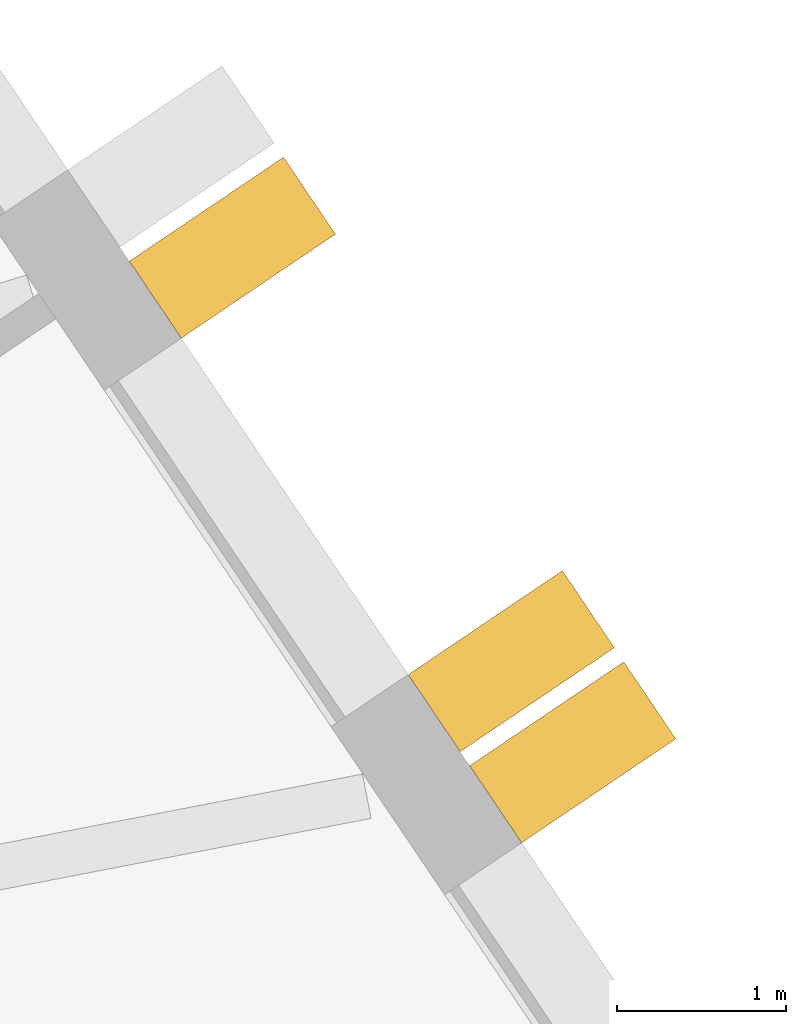
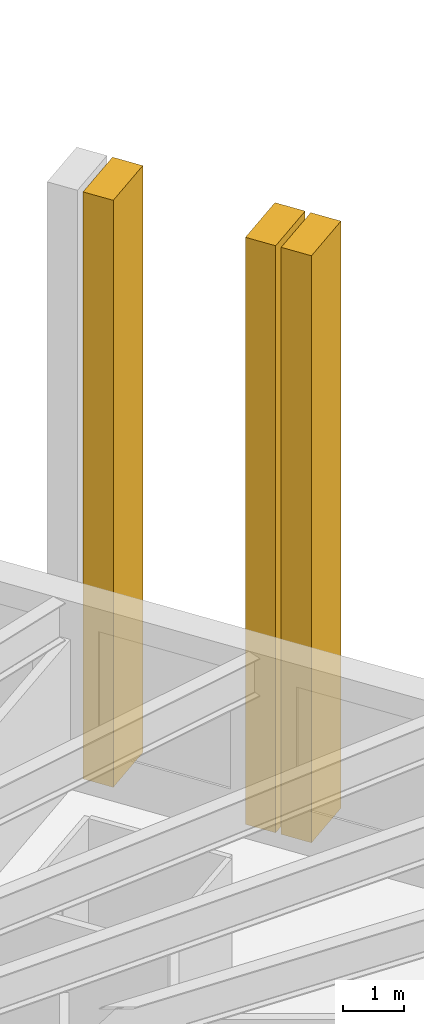
# One storey, part 12 of 12: 3 shading devices.
"""IFC4 building model written with IfcOpenShell, lengths in metres."""

from ifc_helpers import new_model, si_unit, direction, frame, origin, place, context, subcontext, project, spatial, polyline, outline, extrude, material, layer, layer_set, type_object, element, save


model = new_model("IFC4")

# Units and contexts
model_context = context("Model", 3, precision=1e-05, world=origin(), true_north=direction((0.0, 1.0)))
body_context = subcontext(model_context, "Body", "Model", "MODEL_VIEW")
ifc_project = project(units=[si_unit("LENGTHUNIT", "METRE"), si_unit("AREAUNIT", "SQUARE_METRE"), si_unit("VOLUMEUNIT", "CUBIC_METRE"), si_unit("PLANEANGLEUNIT", "RADIAN"), si_unit("MASSUNIT", "GRAM", prefix="KILO")], contexts=[model_context])

# Site, building, storey
site_placement = place(None, origin())
site = spatial("IfcSite", under=ifc_project, at=site_placement, CompositionType="ELEMENT")
building_placement = place(site_placement, origin())
building = spatial("IfcBuilding", under=site, at=building_placement, Name="Tarnside Tower", CompositionType="ELEMENT")
storey_placement = place(building_placement, frame((0.0, 0.0, 99.89990234375)))
storey = spatial("IfcBuildingStorey", under=building, at=storey_placement, Name="L22", CompositionType="ELEMENT", Elevation=99.89990234375)

# Shading devices
ifc_material = material(Name="Concrete C50/60 white precast", Category="concrete")
ifc_layer = layer(ifc_material, 0.550048828125)
ifc_layer_set = layer_set([ifc_layer], Name="Precast fin 550 x 1100")
shading_device_type = type_object("IfcShadingDeviceType", Name="Precast fin 550 x 1100", PredefinedType="USERDEFINED", material=ifc_layer_set)
for number, where, z_axis, x_axis, name in (
    (1, (31.769287109375, 6.548583984375, -0.14990234375), (0.559192903471, -0.829037572555, 0.0), (0.829037572555, 0.559192903471, 0.0), "Precast fin"),
    (2, (31.406005859375, 7.087646484375, -0.14990234375), (0.559192903471, -0.829037572555, 0.0), (0.829037572555, 0.559192903471, 0.0), "Precast fin"),
    (3, (29.75634765625, 9.533203125, -0.14990234375), (0.559192903471, -0.829037572555, 0.0), (0.829037572555, 0.559192903471, 0.0), "Precast fin"),
):
    element("IfcShadingDevice", number, at=place(storey_placement, frame(where, z_axis=z_axis, x_axis=x_axis)), inside=storey, type_object=shading_device_type, Name=name, ObjectType="FIN", PredefinedType="USERDEFINED", context=body_context, shape_type="SweptSolid", body=[
        extrude(outline(polyline([(0.0, 0.0), (1.10009765625, 0.0), (1.10009765625, 11.699951171875), (0.0, 11.699951171875), (0.0, 0.0)])), frame((0.0, 0.0, -0.27490234375)), (0.0, 0.0, 1.0), 0.550048828125),
    ])

save(model, "model.ifc")
